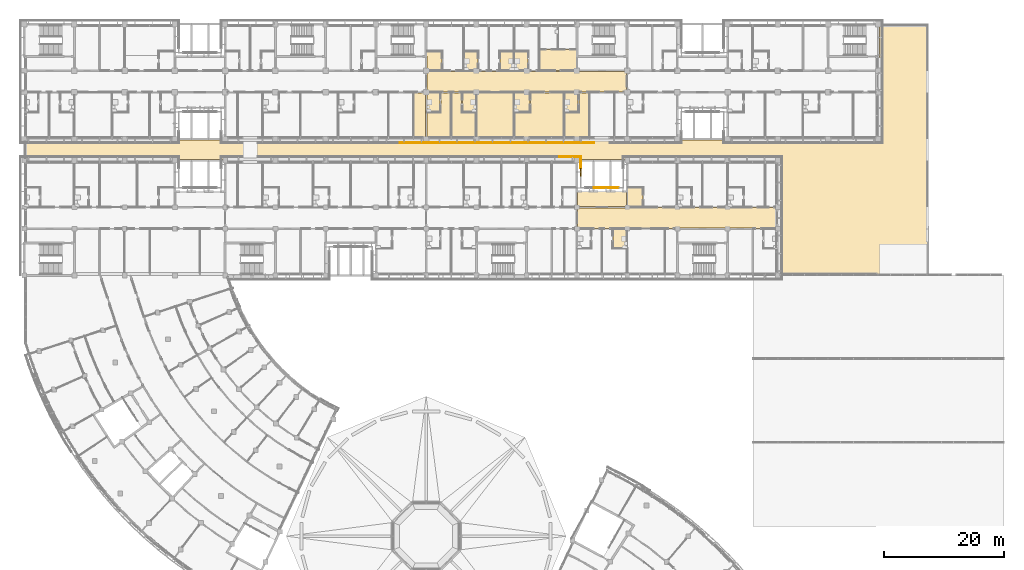
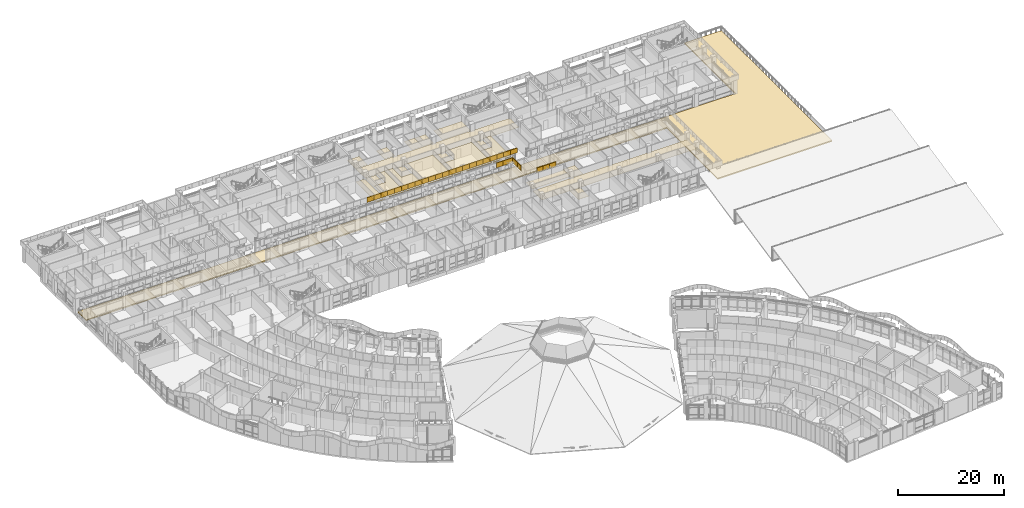
# One storey, part 129 of 137: 50 coverings.
"""IFC4 building model written with IfcOpenShell, lengths in metres."""

from ifc_helpers import new_model, si_unit, direction, frame, origin, place, context, subcontext, project, spatial, polyline, outline, extrude, material, layer, layer_set, type_object, element, save


model = new_model("IFC4")

# Units and contexts
model_context = context("Model", 3, precision=1e-05, world=origin(), true_north=direction((0.0, 1.0)))
body_context = subcontext(model_context, "Body", "Model", "MODEL_VIEW")
ifc_project = project(units=[si_unit("LENGTHUNIT", "METRE"), si_unit("AREAUNIT", "SQUARE_METRE"), si_unit("VOLUMEUNIT", "CUBIC_METRE"), si_unit("PLANEANGLEUNIT", "RADIAN"), si_unit("MASSUNIT", "GRAM", prefix="KILO")], contexts=[model_context])

# Site, building, storey
site_placement = place(None, origin())
site = spatial("IfcSite", under=ifc_project, at=site_placement, CompositionType="ELEMENT")
building_placement = place(site_placement, origin())
building = spatial("IfcBuilding", under=site, at=building_placement, Name="Bougainvillea Quay General Hospital", CompositionType="ELEMENT")
storey_placement = place(building_placement, frame((0.0, 0.0, 16.800048828125)))
storey = spatial("IfcBuildingStorey", under=building, at=storey_placement, Name="L03", CompositionType="ELEMENT", Elevation=16.800048828125)

# Coverings
ifc_material_1 = material(Name="Powder-coated aluminium fascia, white", Category="aluminium")
ifc_layer_1 = layer(ifc_material_1, 0.14990234375)
ifc_layer_set_1 = layer_set([ifc_layer_1], Name="Powder-coated aluminium fascia, white")
covering_type_1 = type_object("IfcCoveringType", Name="Aluminium fascia band white 150x1100", PredefinedType="CLADDING", material=ifc_layer_set_1)
covering_1_placement = place(storey_placement, frame((104.7568359375, 139.85009765625, 3.64990234375), z_axis=(0.0, 0.0, 1.0), x_axis=(1.0, 0.0, 0.0)))
element("IfcCovering", 1, at=covering_1_placement, inside=storey, type_object=covering_type_1, Name="Fascia band white e1 17", PredefinedType="CLADDING", context=body_context, shape_type="SweptSolid", body=[
    extrude(outline(polyline([(0.0, 0.0), (1.48095703125, 0.0), (1.48095703125, -0.150146484375), (0.0, -0.150146484375), (0.0, 0.0)])), origin(), (0.0, 0.0, 1.0), 1.10009765625),
])
covering_2_placement = place(storey_placement, frame((106.23779296875, 139.85009765625, 3.64990234375), z_axis=(0.0, 0.0, 1.0), x_axis=(1.0, 0.0, 0.0)))
element("IfcCovering", 2, at=covering_2_placement, inside=storey, type_object=covering_type_1, Name="Fascia band white e1 18", PredefinedType="CLADDING", context=body_context, shape_type="SweptSolid", body=[
    extrude(outline(polyline([(0.0, 0.0), (1.481201171875, 0.0), (1.481201171875, -0.150146484375), (0.0, -0.150146484375), (0.0, 0.0)])), origin(), (0.0, 0.0, 1.0), 1.10009765625),
])
covering_3_placement = place(storey_placement, frame((107.718994140625, 139.85009765625, 3.64990234375), z_axis=(0.0, 0.0, 1.0), x_axis=(1.0, 0.0, 0.0)))
element("IfcCovering", 3, at=covering_3_placement, inside=storey, type_object=covering_type_1, Name="Fascia band white e1 19", PredefinedType="CLADDING", context=body_context, shape_type="SweptSolid", body=[
    extrude(outline(polyline([(0.0, 0.0), (1.48095703125, 0.0), (1.48095703125, -0.150146484375), (0.0, -0.150146484375), (0.0, 0.0)])), origin(), (0.0, 0.0, 1.0), 1.10009765625),
])
covering_4_placement = place(storey_placement, frame((109.199951171875, 139.85009765625, 3.64990234375), z_axis=(0.0, 0.0, 1.0), x_axis=(1.0, 0.0, 0.0)))
element("IfcCovering", 4, at=covering_4_placement, inside=storey, type_object=covering_type_1, Name="Fascia band white e1 20", PredefinedType="CLADDING", context=body_context, shape_type="SweptSolid", body=[
    extrude(outline(polyline([(0.0, 0.0), (1.481201171875, 0.0), (1.481201171875, -0.150146484375), (0.0, -0.150146484375), (0.0, 0.0)])), origin(), (0.0, 0.0, 1.0), 1.10009765625),
])
for number, where, z_axis, x_axis, name in (
    (5, (110.68115234375, 139.85009765625, 3.64990234375), (0.0, 0.0, 1.0), (1.0, 0.0, 0.0), "Fascia band white e1 21"),
    (6, (112.162109375, 139.85009765625, 3.64990234375), (0.0, 0.0, 1.0), (1.0, 0.0, 0.0), "Fascia band white e1 22"),
):
    element("IfcCovering", number, at=place(storey_placement, frame(where, z_axis=z_axis, x_axis=x_axis)), inside=storey, type_object=covering_type_1, Name=name, PredefinedType="CLADDING", context=body_context, shape_type="SweptSolid", body=[
        extrude(outline(polyline([(0.0, 0.0), (1.48095703125, 0.0), (1.48095703125, -0.150146484375), (0.0, -0.150146484375), (0.0, 0.0)])), origin(), (0.0, 0.0, 1.0), 1.10009765625),
    ])
covering_5_placement = place(storey_placement, frame((113.64306640625, 139.85009765625, 3.64990234375), z_axis=(0.0, 0.0, 1.0), x_axis=(1.0, 0.0, 0.0)))
element("IfcCovering", 7, at=covering_5_placement, inside=storey, type_object=covering_type_1, Name="Fascia band white e1 23", PredefinedType="CLADDING", context=body_context, shape_type="SweptSolid", body=[
    extrude(outline(polyline([(0.0, 0.0), (1.481201171875, 0.0), (1.481201171875, -0.150146484375), (0.0, -0.150146484375), (0.0, 0.0)])), origin(), (0.0, 0.0, 1.0), 1.10009765625),
])
covering_6_placement = place(storey_placement, frame((115.124267578125, 139.85009765625, 3.64990234375), z_axis=(0.0, 0.0, 1.0), x_axis=(1.0, 0.0, 0.0)))
element("IfcCovering", 8, at=covering_6_placement, inside=storey, type_object=covering_type_1, Name="Fascia band white e1 24", PredefinedType="CLADDING", context=body_context, shape_type="SweptSolid", body=[
    extrude(outline(polyline([(0.0, 0.0), (1.48095703125, 0.0), (1.48095703125, -0.150146484375), (0.0, -0.150146484375), (0.0, 0.0)])), origin(), (0.0, 0.0, 1.0), 1.10009765625),
])
covering_7_placement = place(storey_placement, frame((116.605224609375, 139.85009765625, 3.64990234375), z_axis=(0.0, 0.0, 1.0), x_axis=(1.0, 0.0, 0.0)))
element("IfcCovering", 9, at=covering_7_placement, inside=storey, type_object=covering_type_1, Name="Fascia band white e1 25", PredefinedType="CLADDING", context=body_context, shape_type="SweptSolid", body=[
    extrude(outline(polyline([(0.0, 0.0), (1.481201171875, 0.0), (1.481201171875, -0.150146484375), (0.0, -0.150146484375), (0.0, 0.0)])), origin(), (0.0, 0.0, 1.0), 1.10009765625),
])
for number, where, z_axis, x_axis, name in (
    (10, (118.08642578125, 139.85009765625, 3.64990234375), (0.0, 0.0, 1.0), (1.0, 0.0, 0.0), "Fascia band white e1 26"),
    (11, (119.5673828125, 139.85009765625, 3.64990234375), (0.0, 0.0, 1.0), (1.0, 0.0, 0.0), "Fascia band white e1 27"),
):
    element("IfcCovering", number, at=place(storey_placement, frame(where, z_axis=z_axis, x_axis=x_axis)), inside=storey, type_object=covering_type_1, Name=name, PredefinedType="CLADDING", context=body_context, shape_type="SweptSolid", body=[
        extrude(outline(polyline([(0.0, 0.0), (1.48095703125, 0.0), (1.48095703125, -0.150146484375), (0.0, -0.150146484375), (0.0, 0.0)])), origin(), (0.0, 0.0, 1.0), 1.10009765625),
    ])
covering_8_placement = place(storey_placement, frame((121.04833984375, 139.85009765625, 3.64990234375), z_axis=(0.0, 0.0, 1.0), x_axis=(1.0, 0.0, 0.0)))
element("IfcCovering", 12, at=covering_8_placement, inside=storey, type_object=covering_type_1, Name="Fascia band white e1 28", PredefinedType="CLADDING", context=body_context, shape_type="SweptSolid", body=[
    extrude(outline(polyline([(0.0, 0.0), (1.481201171875, 0.0), (1.481201171875, -0.150146484375), (0.0, -0.150146484375), (0.0, 0.0)])), origin(), (0.0, 0.0, 1.0), 1.10009765625),
])
covering_9_placement = place(storey_placement, frame((122.529541015625, 139.85009765625, 3.64990234375), z_axis=(0.0, 0.0, 1.0), x_axis=(1.0, 0.0, 0.0)))
element("IfcCovering", 13, at=covering_9_placement, inside=storey, type_object=covering_type_1, Name="Fascia band white e1 29", PredefinedType="CLADDING", context=body_context, shape_type="SweptSolid", body=[
    extrude(outline(polyline([(0.0, 0.0), (1.48095703125, 0.0), (1.48095703125, -0.150146484375), (0.0, -0.150146484375), (0.0, 0.0)])), origin(), (0.0, 0.0, 1.0), 1.10009765625),
])
covering_10_placement = place(storey_placement, frame((124.010498046875, 139.85009765625, 3.64990234375), z_axis=(0.0, 0.0, 1.0), x_axis=(1.0, 0.0, 0.0)))
element("IfcCovering", 14, at=covering_10_placement, inside=storey, type_object=covering_type_1, Name="Fascia band white e1 30", PredefinedType="CLADDING", context=body_context, shape_type="SweptSolid", body=[
    extrude(outline(polyline([(0.0, 0.0), (1.481201171875, 0.0), (1.481201171875, -0.150146484375), (0.0, -0.150146484375), (0.0, 0.0)])), origin(), (0.0, 0.0, 1.0), 1.10009765625),
])
for number, where, z_axis, x_axis, name in (
    (15, (125.49169921875, 139.85009765625, 3.64990234375), (0.0, 0.0, 1.0), (1.0, 0.0, 0.0), "Fascia band white e1 31"),
    (16, (126.97265625, 139.85009765625, 3.64990234375), (0.0, 0.0, 1.0), (1.0, 0.0, 0.0), "Fascia band white e1 32"),
):
    element("IfcCovering", number, at=place(storey_placement, frame(where, z_axis=z_axis, x_axis=x_axis)), inside=storey, type_object=covering_type_1, Name=name, PredefinedType="CLADDING", context=body_context, shape_type="SweptSolid", body=[
        extrude(outline(polyline([(0.0, 0.0), (1.48095703125, 0.0), (1.48095703125, -0.150146484375), (0.0, -0.150146484375), (0.0, 0.0)])), origin(), (0.0, 0.0, 1.0), 1.10009765625),
    ])
covering_11_placement = place(storey_placement, frame((128.45361328125, 139.85009765625, 3.64990234375), z_axis=(0.0, 0.0, 1.0), x_axis=(1.0, 0.0, 0.0)))
element("IfcCovering", 17, at=covering_11_placement, inside=storey, type_object=covering_type_1, Name="Fascia band white e1 33", PredefinedType="CLADDING", context=body_context, shape_type="SweptSolid", body=[
    extrude(outline(polyline([(0.0, 0.0), (1.481201171875, 0.0), (1.481201171875, -0.150146484375), (0.0, -0.150146484375), (0.0, 0.0)])), origin(), (0.0, 0.0, 1.0), 1.10009765625),
])
for number, where, z_axis, x_axis, name in (
    (18, (129.934814453125, 139.85009765625, 3.64990234375), (0.0, 0.0, 1.0), (1.0, 0.0, 0.0), "Fascia band white e1 34"),
    (19, (131.415771484375, 139.85009765625, 3.64990234375), (0.0, 0.0, 1.0), (1.0, 0.0, 0.0), "Fascia band white e1 35"),
):
    element("IfcCovering", number, at=place(storey_placement, frame(where, z_axis=z_axis, x_axis=x_axis)), inside=storey, type_object=covering_type_1, Name=name, PredefinedType="CLADDING", context=body_context, shape_type="SweptSolid", body=[
        extrude(outline(polyline([(0.0, 0.0), (1.48095703125, 0.0), (1.48095703125, -0.150146484375), (0.0, -0.150146484375), (0.0, 0.0)])), origin(), (0.0, 0.0, 1.0), 1.10009765625),
    ])
covering_12_placement = place(storey_placement, frame((132.896728515625, 139.85009765625, 3.64990234375), z_axis=(0.0, 0.0, 1.0), x_axis=(1.0, 0.0, 0.0)))
element("IfcCovering", 20, at=covering_12_placement, inside=storey, type_object=covering_type_1, Name="Fascia band white e1 36", PredefinedType="CLADDING", context=body_context, shape_type="SweptSolid", body=[
    extrude(outline(polyline([(0.0, 0.0), (1.481201171875, 0.0), (1.481201171875, -0.150146484375), (0.0, -0.150146484375), (0.0, 0.0)])), origin(), (0.0, 0.0, 1.0), 1.10009765625),
])
covering_13_placement = place(storey_placement, frame((134.3779296875, 139.85009765625, 3.64990234375), z_axis=(0.0, 0.0, 1.0), x_axis=(1.0, 0.0, 0.0)))
element("IfcCovering", 21, at=covering_13_placement, inside=storey, type_object=covering_type_1, Name="Fascia band white e1 37", PredefinedType="CLADDING", context=body_context, shape_type="SweptSolid", body=[
    extrude(outline(polyline([(0.0, 0.0), (1.48095703125, 0.0), (1.48095703125, -0.150146484375), (0.0, -0.150146484375), (0.0, 0.0)])), origin(), (0.0, 0.0, 1.0), 1.10009765625),
])
covering_14_placement = place(storey_placement, frame((135.85888671875, 139.85009765625, 3.64990234375), z_axis=(0.0, 0.0, 1.0), x_axis=(1.0, 0.0, 0.0)))
element("IfcCovering", 22, at=covering_14_placement, inside=storey, type_object=covering_type_1, Name="Fascia band white e1 38", PredefinedType="CLADDING", context=body_context, shape_type="SweptSolid", body=[
    extrude(outline(polyline([(0.0, 0.0), (1.481201171875, 0.0), (1.481201171875, -0.150146484375), (0.0, -0.150146484375), (0.0, 0.0)])), origin(), (0.0, 0.0, 1.0), 1.10009765625),
])
for number, where, z_axis, x_axis, name in (
    (23, (141.39990234375, 132.14990234375, 3.64990234375), (0.0, 0.0, 1.0), (-1.0, 0.0, 0.0), "Fascia band white e1 106"),
    (24, (140.0, 132.14990234375, 3.64990234375), (0.0, 0.0, 1.0), (-1.0, 0.0, 0.0), "Fascia band white e1 107"),
):
    element("IfcCovering", number, at=place(storey_placement, frame(where, z_axis=z_axis, x_axis=x_axis)), inside=storey, type_object=covering_type_1, Name=name, PredefinedType="CLADDING", context=body_context, shape_type="SweptSolid", body=[
        extrude(outline(polyline([(0.0, 0.0), (1.39990234375, 0.0), (1.39990234375, -0.150146484375), (0.0, -0.150146484375), (0.0, 0.0)])), origin(), (0.0, 0.0, 1.0), 1.10009765625),
    ])
covering_15_placement = place(storey_placement, frame((138.60009765625, 132.14990234375, 3.64990234375), z_axis=(0.0, 0.0, 1.0), x_axis=(-1.0, 0.0, 0.0)))
element("IfcCovering", 25, at=covering_15_placement, inside=storey, type_object=covering_type_1, Name="Fascia band white e1 108", PredefinedType="CLADDING", context=body_context, shape_type="SweptSolid", body=[
    extrude(outline(polyline([(0.0, 0.0), (1.400146484375, 0.0), (1.400146484375, -0.150146484375), (0.0, -0.150146484375), (0.0, 0.0)])), origin(), (0.0, 0.0, 1.0), 1.10009765625),
])
covering_16_placement = place(storey_placement, frame((134.949951171875, 134.199951171875, 3.64990234375), z_axis=(0.0, 0.0, 1.0), x_axis=(0.0, 1.0, 0.0)))
element("IfcCovering", 26, at=covering_16_placement, inside=storey, type_object=covering_type_1, Name="Fascia band white e1 113", PredefinedType="CLADDING", context=body_context, shape_type="SweptSolid", body=[
    extrude(outline(polyline([(0.0, 0.0), (1.300048828125, 0.0), (1.300048828125, -0.150146484375), (0.0, -0.150146484375), (0.0, 0.0)])), origin(), (0.0, 0.0, 1.0), 1.10009765625),
])
covering_17_placement = place(storey_placement, frame((134.949951171875, 135.5, 3.64990234375), z_axis=(0.0, 0.0, 1.0), x_axis=(0.0, 1.0, 0.0)))
element("IfcCovering", 27, at=covering_17_placement, inside=storey, type_object=covering_type_1, Name="Fascia band white e1 114", PredefinedType="CLADDING", context=body_context, shape_type="SweptSolid", body=[
    extrude(outline(polyline([(0.0, 0.0), (1.85009765625, 0.0), (2.0, -0.150146484375), (0.0, -0.150146484375), (0.0, 0.0)])), origin(), (0.0, 0.0, 1.0), 1.10009765625),
])
covering_18_placement = place(storey_placement, frame((134.949951171875, 137.35009765625, 3.64990234375), z_axis=(0.0, 0.0, 1.0), x_axis=(-1.0, 0.0, 0.0)))
element("IfcCovering", 28, at=covering_18_placement, inside=storey, type_object=covering_type_1, Name="Fascia band white e1 115", PredefinedType="CLADDING", context=body_context, shape_type="SweptSolid", body=[
    extrude(outline(polyline([(0.0, 0.0), (2.03173828125, 0.0), (2.03173828125, -0.14990234375), (-0.150146484375, -0.14990234375), (0.0, 0.0)])), origin(), (0.0, 0.0, 1.0), 1.10009765625),
])
covering_19_placement = place(storey_placement, frame((132.918212890625, 137.35009765625, 3.64990234375), z_axis=(0.0, 0.0, 1.0), x_axis=(-1.0, 0.0, 0.0)))
element("IfcCovering", 29, at=covering_19_placement, inside=storey, type_object=covering_type_1, Name="Fascia band white e1 116", PredefinedType="CLADDING", context=body_context, shape_type="SweptSolid", body=[
    extrude(outline(polyline([(0.0, 0.0), (1.4814453125, 0.0), (1.4814453125, -0.14990234375), (0.0, -0.14990234375), (0.0, 0.0)])), origin(), (0.0, 0.0, 1.0), 1.10009765625),
])
ifc_material_2 = material(Name="Extensive green roof substrate with sedum planting")
ifc_layer_2 = layer(ifc_material_2, 0.25)
ifc_layer_set_2 = layer_set([ifc_layer_2], Name="Extensive green roof substrate with sedum planting")
covering_type_2 = type_object("IfcCoveringType", Name="Planted roof 250", PredefinedType="ROOFING", material=ifc_layer_set_2)
covering_20_placement = place(storey_placement, origin())
element("IfcCovering", 30, at=covering_20_placement, inside=storey, type_object=covering_type_2, Name="Planted roof 0 1", PredefinedType="ROOFING", context=body_context, shape_type="SweptSolid", body=[
    extrude(outline(polyline([(168.199951171875, 117.800048828125), (168.199951171875, 137.0), (42.199951171875, 137.0), (42.199951171875, 140.199951171875), (185.0, 140.199951171875), (185.0, 159.39990234375), (193.0, 159.39990234375), (193.0, 117.800048828125), (168.199951171875, 117.800048828125)])), origin(), (0.0, 0.0, 1.0), 0.25),
])
ifc_material_3 = material(Name="Mineral fibre ceiling tile")
ifc_layer_3 = layer(ifc_material_3, 0.030029296875)
ifc_layer_set_3 = layer_set([ifc_layer_3], Name="Mineral fibre ceiling tile")
covering_type_3 = type_object("IfcCoveringType", Name="Suspended ceiling mineral fibre tile", PredefinedType="CEILING", material=ifc_layer_set_3)
covering_21_placement = place(storey_placement, frame((0.0, 0.0, 2.699951171875)))
element("IfcCovering", 31, at=covering_21_placement, inside=storey, type_object=covering_type_3, Name="Ceiling Lift Lobby LB-B2 (Fire-fighting)", PredefinedType="CEILING", context=body_context, shape_type="SweptSolid", body=[
    extrude(outline(polyline([(134.5, 131.60009765625), (134.5, 129.10009765625), (142.699951171875, 129.10009765625), (142.699951171875, 131.60009765625), (134.5, 131.60009765625)])), origin(), (0.0, 0.0, 1.0), 0.030029296875),
])
covering_22_placement = place(storey_placement, frame((0.0, 0.0, 2.39990234375)))
element("IfcCovering", 32, at=covering_22_placement, inside=storey, type_object=covering_type_3, Name="Ceiling Cleaners' Store 03A15", PredefinedType="CEILING", context=body_context, shape_type="SweptSolid", body=[
    extrude(outline(polyline([(109.10009765625, 140.39990234375), (109.10009765625, 148.125), (107.14990234375, 148.125), (107.14990234375, 140.39990234375), (109.10009765625, 140.39990234375)])), origin(), (0.0, 0.0, 1.0), 0.030029296875),
])
covering_23_placement = place(storey_placement, frame((0.0, 0.0, 2.699951171875)))
element("IfcCovering", 33, at=covering_23_placement, inside=storey, type_object=covering_type_3, Name="Ceiling Paediatric Patient Room 03A17", PredefinedType="CEILING", context=body_context, shape_type="SweptSolid", body=[
    extrude(outline(polyline([(113.324951171875, 140.39990234375), (113.324951171875, 148.125), (111.675048828125, 148.125), (111.675048828125, 144.824951171875), (109.300048828125, 144.824951171875), (109.300048828125, 140.39990234375), (113.324951171875, 140.39990234375)])), origin(), (0.0, 0.0, 1.0), 0.030029296875),
])
covering_24_placement = place(storey_placement, frame((0.0, 0.0, 2.39990234375)))
element("IfcCovering", 34, at=covering_24_placement, inside=storey, type_object=covering_type_3, Name="Ceiling En-suite 03A17", PredefinedType="CEILING", context=body_context, shape_type="SweptSolid", body=[
    extrude(outline(polyline([(111.52490234375, 148.125), (109.300048828125, 148.125), (109.300048828125, 144.97509765625), (111.52490234375, 144.97509765625), (111.52490234375, 148.125)])), origin(), (0.0, 0.0, 1.0), 0.030029296875),
])
covering_25_placement = place(storey_placement, frame((0.0, 0.0, 2.699951171875)))
element("IfcCovering", 35, at=covering_25_placement, inside=storey, type_object=covering_type_3, Name="Ceiling Paediatric Patient Room 03A18", PredefinedType="CEILING", context=body_context, shape_type="SweptSolid", body=[
    extrude(outline(polyline([(117.52490234375, 140.39990234375), (117.52490234375, 144.824951171875), (115.125, 144.824951171875), (115.125, 148.125), (113.47509765625, 148.125), (113.47509765625, 140.39990234375), (117.52490234375, 140.39990234375)])), origin(), (0.0, 0.0, 1.0), 0.030029296875),
])
covering_26_placement = place(storey_placement, frame((0.0, 0.0, 2.39990234375)))
element("IfcCovering", 36, at=covering_26_placement, inside=storey, type_object=covering_type_3, Name="Ceiling En-suite 03A18", PredefinedType="CEILING", context=body_context, shape_type="SweptSolid", body=[
    extrude(outline(polyline([(117.550048828125, 148.125), (115.27490234375, 148.125), (115.27490234375, 144.97509765625), (117.550048828125, 144.97509765625), (117.550048828125, 148.125)])), origin(), (0.0, 0.0, 1.0), 0.030029296875),
])
covering_27_placement = place(storey_placement, frame((0.0, 0.0, 2.699951171875)))
element("IfcCovering", 37, at=covering_27_placement, inside=storey, type_object=covering_type_3, Name="Ceiling Nurses' Station 03A19", PredefinedType="CEILING", context=body_context, shape_type="SweptSolid", body=[
    extrude(outline(polyline([(123.824951171875, 140.39990234375), (123.824951171875, 144.97509765625), (123.85009765625, 144.97509765625), (123.85009765625, 148.125), (117.64990234375, 148.125), (117.64990234375, 144.97509765625), (117.675048828125, 144.97509765625), (117.675048828125, 140.39990234375), (123.824951171875, 140.39990234375)])), origin(), (0.0, 0.0, 1.0), 0.030029296875),
])
covering_28_placement = place(storey_placement, frame((0.0, 0.0, 2.699951171875)))
element("IfcCovering", 38, at=covering_28_placement, inside=storey, type_object=covering_type_3, Name="Ceiling Paediatric Ward Room 03A20", PredefinedType="CEILING", context=body_context, shape_type="SweptSolid", body=[
    extrude(outline(polyline([(132.22509765625, 140.39990234375), (132.22509765625, 148.125), (126.675048828125, 148.125), (126.675048828125, 144.824951171875), (123.97509765625, 144.824951171875), (123.97509765625, 140.39990234375), (132.22509765625, 140.39990234375)])), origin(), (0.0, 0.0, 1.0), 0.030029296875),
])
covering_29_placement = place(storey_placement, frame((0.0, 0.0, 2.39990234375)))
element("IfcCovering", 39, at=covering_29_placement, inside=storey, type_object=covering_type_3, Name="Ceiling En-suite 03A20", PredefinedType="CEILING", context=body_context, shape_type="SweptSolid", body=[
    extrude(outline(polyline([(123.949951171875, 144.97509765625), (126.52490234375, 144.97509765625), (126.52490234375, 148.125), (123.949951171875, 148.125), (123.949951171875, 144.97509765625)])), origin(), (0.0, 0.0, 1.0), 0.030029296875),
])
covering_30_placement = place(storey_placement, frame((0.0, 0.0, 2.699951171875)))
element("IfcCovering", 40, at=covering_30_placement, inside=storey, type_object=covering_type_3, Name="Ceiling Paediatric Patient Room 03A21", PredefinedType="CEILING", context=body_context, shape_type="SweptSolid", body=[
    extrude(outline(polyline([(136.425048828125, 140.39990234375), (136.425048828125, 148.125), (134.77490234375, 148.125), (134.77490234375, 144.824951171875), (132.375, 144.824951171875), (132.375, 140.39990234375), (136.425048828125, 140.39990234375)])), origin(), (0.0, 0.0, 1.0), 0.030029296875),
])
covering_31_placement = place(storey_placement, frame((0.0, 0.0, 2.39990234375)))
element("IfcCovering", 41, at=covering_31_placement, inside=storey, type_object=covering_type_3, Name="Ceiling En-suite 03A21", PredefinedType="CEILING", context=body_context, shape_type="SweptSolid", body=[
    extrude(outline(polyline([(134.625, 144.97509765625), (134.625, 148.125), (132.375, 148.125), (132.375, 144.97509765625), (134.625, 144.97509765625)])), origin(), (0.0, 0.0, 1.0), 0.030029296875),
])
covering_32_placement = place(storey_placement, frame((0.0, 0.0, 2.39990234375)))
element("IfcCovering", 42, at=covering_32_placement, inside=storey, type_object=covering_type_3, Name="Ceiling En-suite 03A24", PredefinedType="CEILING", context=body_context, shape_type="SweptSolid", body=[
    extrude(outline(polyline([(111.824951171875, 155.02490234375), (109.25, 155.02490234375), (109.25, 154.300048828125), (109.300048828125, 154.300048828125), (109.300048828125, 151.875), (111.824951171875, 151.875), (111.824951171875, 155.02490234375)])), origin(), (0.0, 0.0, 1.0), 0.030029296875),
])
covering_33_placement = place(storey_placement, frame((0.0, 0.0, 2.39990234375)))
element("IfcCovering", 43, at=covering_33_placement, inside=storey, type_object=covering_type_3, Name="Ceiling En-suite 03A25", PredefinedType="CEILING", context=body_context, shape_type="SweptSolid", body=[
    extrude(outline(polyline([(117.824951171875, 151.875), (117.824951171875, 155.02490234375), (115.574951171875, 155.02490234375), (115.574951171875, 151.875), (117.824951171875, 151.875)])), origin(), (0.0, 0.0, 1.0), 0.030029296875),
])
covering_34_placement = place(storey_placement, frame((0.0, 0.0, 2.39990234375)))
element("IfcCovering", 44, at=covering_34_placement, inside=storey, type_object=covering_type_3, Name="Ceiling En-suite 03A26", PredefinedType="CEILING", context=body_context, shape_type="SweptSolid", body=[
    extrude(outline(polyline([(121.574951171875, 151.875), (123.85009765625, 151.875), (123.85009765625, 155.02490234375), (121.574951171875, 155.02490234375), (121.574951171875, 151.875)])), origin(), (0.0, 0.0, 1.0), 0.030029296875),
])
covering_35_placement = place(storey_placement, frame((0.0, 0.0, 2.39990234375)))
element("IfcCovering", 45, at=covering_35_placement, inside=storey, type_object=covering_type_3, Name="Ceiling En-suite 03A27", PredefinedType="CEILING", context=body_context, shape_type="SweptSolid", body=[
    extrude(outline(polyline([(126.22509765625, 151.875), (126.22509765625, 155.02490234375), (123.949951171875, 155.02490234375), (123.949951171875, 151.875), (126.22509765625, 151.875)])), origin(), (0.0, 0.0, 1.0), 0.030029296875),
])
covering_36_placement = place(storey_placement, frame((0.0, 0.0, 2.39990234375)))
element("IfcCovering", 46, at=covering_36_placement, inside=storey, type_object=covering_type_3, Name="Ceiling WC Lobby 03A28", PredefinedType="CEILING", context=body_context, shape_type="SweptSolid", body=[
    extrude(outline(polyline([(134.300048828125, 154.300048828125), (134.35009765625, 154.300048828125), (134.35009765625, 155.35009765625), (128.175048828125, 155.35009765625), (128.175048828125, 151.875), (134.300048828125, 151.875), (134.300048828125, 154.300048828125)])), origin(), (0.0, 0.0, 1.0), 0.030029296875),
])
covering_37_placement = place(storey_placement, frame((0.0, 0.0, 2.39990234375)))
element("IfcCovering", 47, at=covering_37_placement, inside=storey, type_object=covering_type_3, Name="Ceiling Ward Corridor A3", PredefinedType="CEILING", context=body_context, shape_type="SweptSolid", body=[
    extrude(outline(polyline([(134.300048828125, 151.72509765625), (109.300048828125, 151.72509765625), (109.300048828125, 148.27490234375), (142.699951171875, 148.27490234375), (142.699951171875, 151.699951171875), (134.300048828125, 151.699951171875), (134.300048828125, 151.72509765625)])), origin(), (0.0, 0.0, 1.0), 0.030029296875),
])
covering_38_placement = place(storey_placement, frame((0.0, 0.0, 2.39990234375)))
element("IfcCovering", 48, at=covering_38_placement, inside=storey, type_object=covering_type_3, Name="Ceiling En-suite 03B27", PredefinedType="CEILING", context=body_context, shape_type="SweptSolid", body=[
    extrude(outline(polyline([(142.75, 122.175048828125), (142.75, 125.324951171875), (140.47509765625, 125.324951171875), (140.47509765625, 122.175048828125), (142.75, 122.175048828125)])), origin(), (0.0, 0.0, 1.0), 0.030029296875),
])
covering_39_placement = place(storey_placement, frame((0.0, 0.0, 2.39990234375)))
element("IfcCovering", 49, at=covering_39_placement, inside=storey, type_object=covering_type_3, Name="Ceiling En-suite 03B30", PredefinedType="CEILING", context=body_context, shape_type="SweptSolid", body=[
    extrude(outline(polyline([(142.800048828125, 131.60009765625), (142.89990234375, 131.60009765625), (142.89990234375, 129.074951171875), (145.425048828125, 129.074951171875), (145.425048828125, 132.22509765625), (142.800048828125, 132.22509765625), (142.800048828125, 131.60009765625)])), origin(), (0.0, 0.0, 1.0), 0.030029296875),
])
covering_40_placement = place(storey_placement, frame((0.0, 0.0, 2.39990234375)))
element("IfcCovering", 50, at=covering_40_placement, inside=storey, type_object=covering_type_3, Name="Ceiling Ward Corridor B4", PredefinedType="CEILING", context=body_context, shape_type="SweptSolid", body=[
    extrude(outline(polyline([(168.0, 128.925048828125), (142.89990234375, 128.925048828125), (142.89990234375, 128.89990234375), (134.5, 128.89990234375), (134.5, 125.47509765625), (151.10009765625, 125.47509765625), (151.10009765625, 125.5), (163.89990234375, 125.5), (163.89990234375, 125.47509765625), (168.0, 125.47509765625), (168.0, 128.925048828125)])), origin(), (0.0, 0.0, 1.0), 0.030029296875),
])

save(model, "model.ifc")
